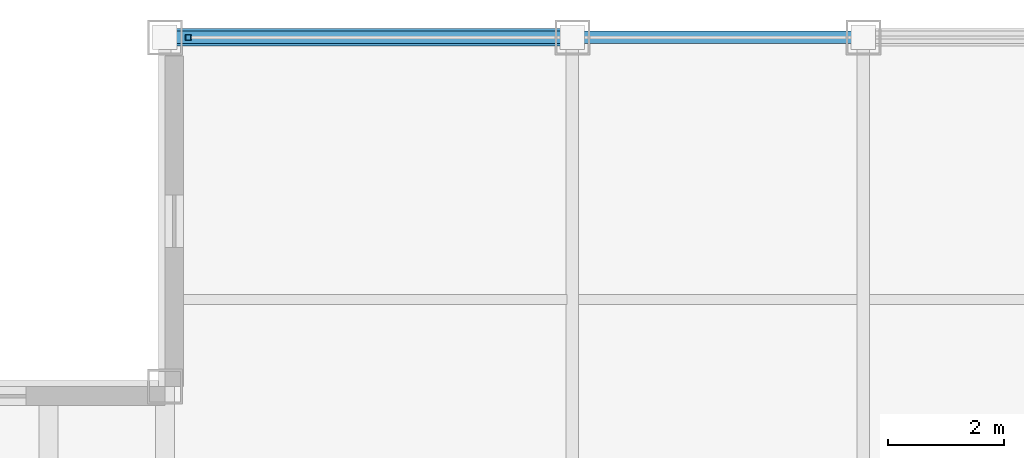
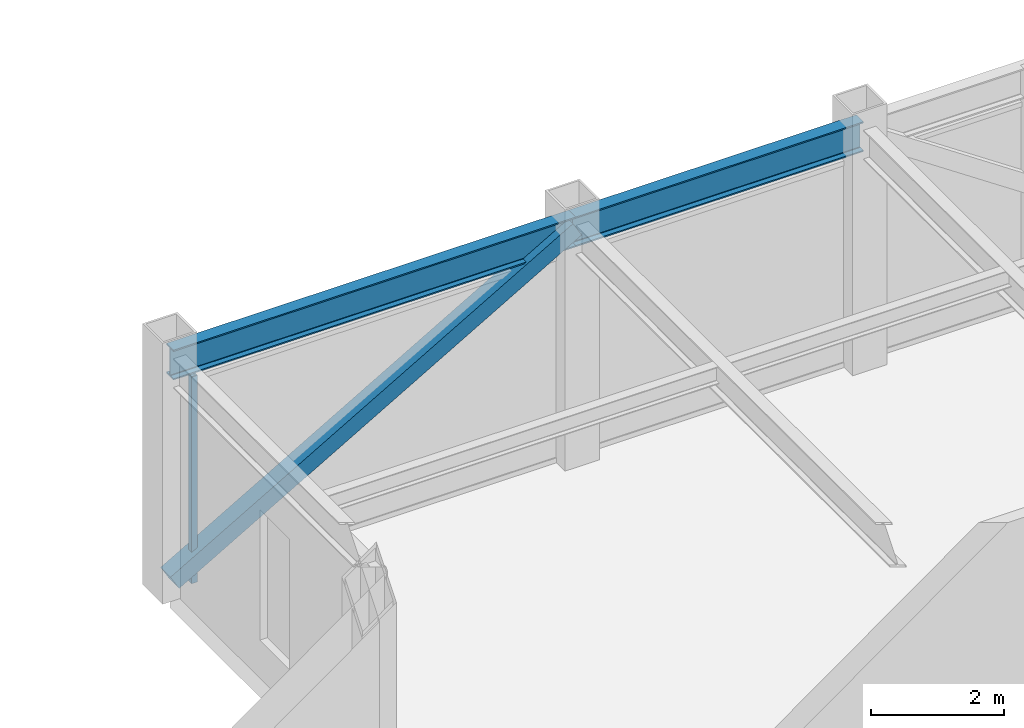
# One storey, part 16 of 27: 2 beams, 2 members, 1 element without a shape of its own.
"""IFC4 building model written with IfcOpenShell, lengths in metres."""

from ifc_helpers import new_model, si_unit, direction, frame, origin, origin_2d, place, context, subcontext, project, spatial, hollow_rectangle, i_section, extrude, source, transform, mapped, material, material_profile, profile_set, type_object, element, aggregate, save


model = new_model("IFC4")

# Units and contexts
model_context = context("Model", 3, precision=1e-05, world=origin(), true_north=direction((0.0, 1.0)))
body_context = subcontext(model_context, "Body", "Model", "MODEL_VIEW")
ifc_project = project(units=[si_unit("LENGTHUNIT", "METRE"), si_unit("AREAUNIT", "SQUARE_METRE"), si_unit("VOLUMEUNIT", "CUBIC_METRE"), si_unit("PLANEANGLEUNIT", "RADIAN"), si_unit("MASSUNIT", "GRAM", prefix="KILO")], contexts=[model_context])

# Site, building, storey
site_placement = place(None, origin())
site = spatial("IfcSite", under=ifc_project, at=site_placement, CompositionType="ELEMENT")
building_placement = place(site_placement, origin())
building = spatial("IfcBuilding", under=site, at=building_placement, Name="Khorayat Bourse Tower", CompositionType="ELEMENT")
storey_placement = place(building_placement, frame((0.0, 0.0, 389.89990234375)))
storey = spatial("IfcBuildingStorey", under=building, at=storey_placement, Name="L92", CompositionType="ELEMENT", Elevation=389.89990234375)

# Beams
ifc_material_1 = material(Name="Steel ASTM A992 Grade 50", Category="steel")
ifc_material_profile_1 = material_profile(ifc_material_1, i_section(OverallWidth=0.214111328125, OverallDepth=0.549072265625, WebThickness=0.0146484375, FlangeThickness=0.023681640625, FilletRadius=0.013916015625, at=origin_2d()), Name="W530X138")
ifc_profile_set_1 = profile_set([ifc_material_profile_1], Name="Steel ASTM A992 Grade 50")
beam_type = type_object("IfcBeamType", Name="BM-SPAN-530", PredefinedType="SPANDREL", material=ifc_profile_set_1)
shared_shape_1 = source(origin(), body_context, "Body", "SweptSolid", [
    extrude(i_section(OverallWidth=0.214111328125, OverallDepth=0.549072265625, WebThickness=0.0146484375, FlangeThickness=0.023681640625, FilletRadius=0.013916015625, at=origin_2d()), origin(), (0.0, 0.0, 1.0), 5.0),
])
beam_1_placement = place(storey_placement, frame((-11.0, 24.0, 4.175537109375), z_axis=(1.0, 0.0, 0.0), x_axis=(0.0, 1.0, 0.0)))
element("IfcBeam", 1, at=beam_1_placement, inside=storey, type_object=beam_type, Name="L92 BM-SPAN-530 BM-L92-SPN-044", PredefinedType="SPANDREL", context=body_context, shape_type="MappedRepresentation", body=[
    mapped(shared_shape_1, transform((0.0, 0.0, 0.0), scale=1.0)),
])
shared_shape_2 = source(origin(), body_context, "Body", "SweptSolid", [
    extrude(i_section(OverallWidth=0.214111328125, OverallDepth=0.549072265625, WebThickness=0.0146484375, FlangeThickness=0.023681640625, FilletRadius=0.013916015625, at=origin_2d()), origin(), (0.0, 0.0, 1.0), 7.0),
])
beam_2_placement = place(storey_placement, frame((-18.0, 24.0, 4.175537109375), z_axis=(1.0, 0.0, 0.0), x_axis=(0.0, 1.0, 0.0)))
element("IfcBeam", 2, at=beam_2_placement, inside=storey, type_object=beam_type, Name="L92 BM-SPAN-530 BM-L92-SPN-045", PredefinedType="SPANDREL", context=body_context, shape_type="MappedRepresentation", body=[
    mapped(shared_shape_2, transform((0.0, 0.0, 0.0), scale=1.0)),
])

# Member
ifc_material_2 = material(Name="Steel EN 10025-2 S355J2", Category="steel")
ifc_material_profile_2 = material_profile(ifc_material_2, hollow_rectangle(XDim=0.300048828125, YDim=0.300048828125, WallThickness=0.01611328125, at=origin_2d()), Name="HSS 300x300x16")
ifc_profile_set_2 = profile_set([ifc_material_profile_2], Name="Steel EN 10025-2 S355J2")
member_type_1 = type_object("IfcMemberType", Name="MBR-CROWN-300", PredefinedType="USERDEFINED", material=ifc_profile_set_2)
shared_shape_3 = source(origin(), body_context, "Body", "SweptSolid", [
    extrude(hollow_rectangle(XDim=0.300048828125, YDim=0.300048828125, WallThickness=0.01611328125, at=origin_2d()), origin(), (0.0, 0.0, 1.0), 8.087158203125),
])
member_1_placement = place(storey_placement, frame((-18.0, 24.0, 0.2001953125), z_axis=(0.865577817, 0.0, 0.500774442955), x_axis=(0.0, 1.0, 0.0)))
element("IfcMember", 3, at=member_1_placement, inside=storey, type_object=member_type_1, Name="L92 Lantern Crown Frame Member 05", ObjectType="CROWN FRAME", PredefinedType="USERDEFINED", context=body_context, shape_type="MappedRepresentation", body=[
    mapped(shared_shape_3, transform((0.0, 0.0, 0.0), scale=1.0)),
])

# Curtain wall, member
ifc_material_3 = material(Name="Aluminium EN AW-6063 T6", Category="aluminium")
curtain_wall_type = type_object("IfcCurtainWallType", Name="CW-SYS-07", PredefinedType="NOTDEFINED", material=ifc_material_3)
curtain_wall_placement = place(storey_placement, origin())
curtain_wall = element("IfcCurtainWall", 4, at=curtain_wall_placement, inside=storey, type_object=curtain_wall_type, Name="L92 Curtain Wall CW-L92-N1", PredefinedType="NOTDEFINED")
ifc_material_profile_3 = material_profile(ifc_material_3, hollow_rectangle(XDim=0.10009765625, YDim=0.10009765625, WallThickness=0.0048828125, at=origin_2d()), Name="ALU 100x100x5")
ifc_profile_set_3 = profile_set([ifc_material_profile_3], Name="Aluminium EN AW-6063 T6")
member_type_2 = type_object("IfcMemberType", Name="CWM-LANTERN-100", PredefinedType="MULLION", material=ifc_profile_set_3)
shared_shape_4 = source(origin(), body_context, "Body", "SweptSolid", [
    extrude(hollow_rectangle(XDim=0.10009765625, YDim=0.10009765625, WallThickness=0.0048828125, at=origin_2d()), origin(), (0.0, 0.0, 1.0), 3.800048828125),
])
member_2_placement = place(storey_placement, frame((-17.60009765625, 24.0, 0.0), z_axis=(0.0, 0.0, 1.0), x_axis=(0.0, 1.0, 0.0)))
member_2 = element("IfcMember", 5, at=member_2_placement, type_object=member_type_2, Name="CW-L92-N1 Vertical Mullion 1", PredefinedType="MULLION", context=body_context, shape_type="MappedRepresentation", body=[
    mapped(shared_shape_4, transform((0.0, 0.0, 0.0), scale=1.0)),
])
aggregate(curtain_wall, [member_2])

save(model, "model.ifc")
